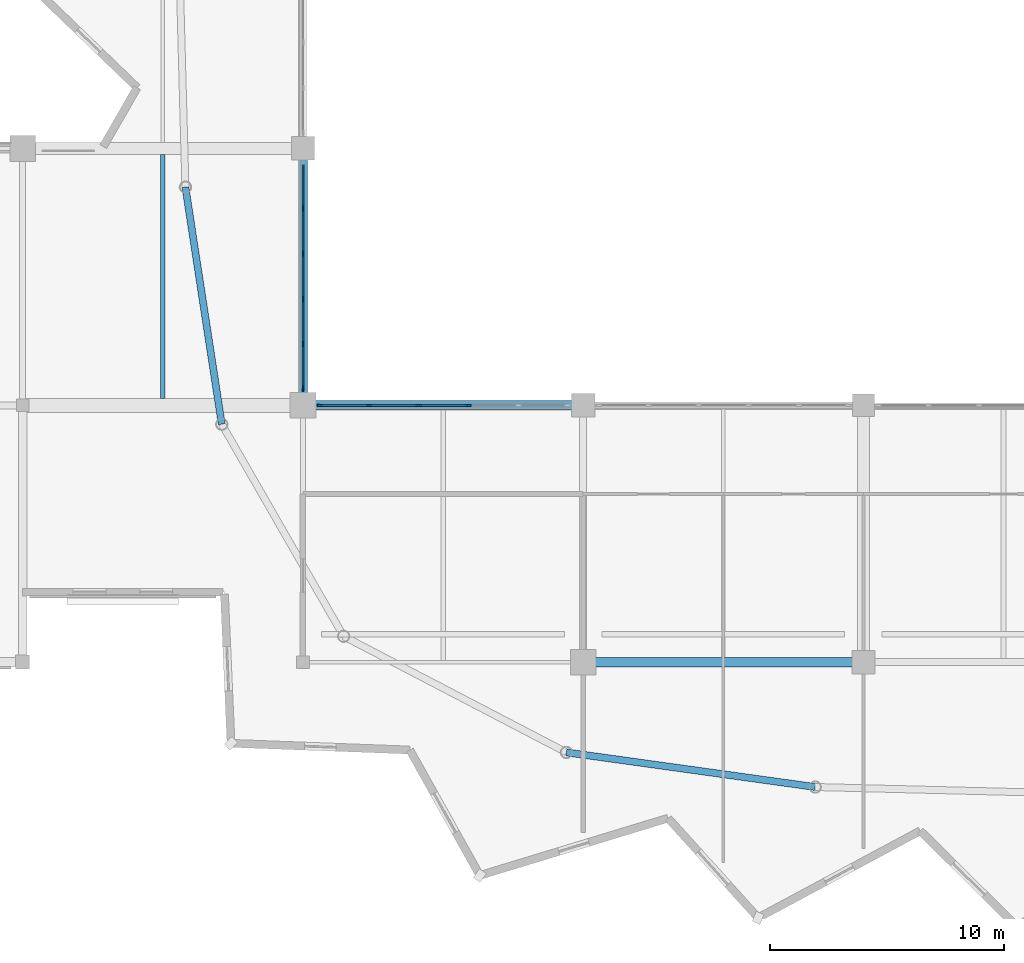
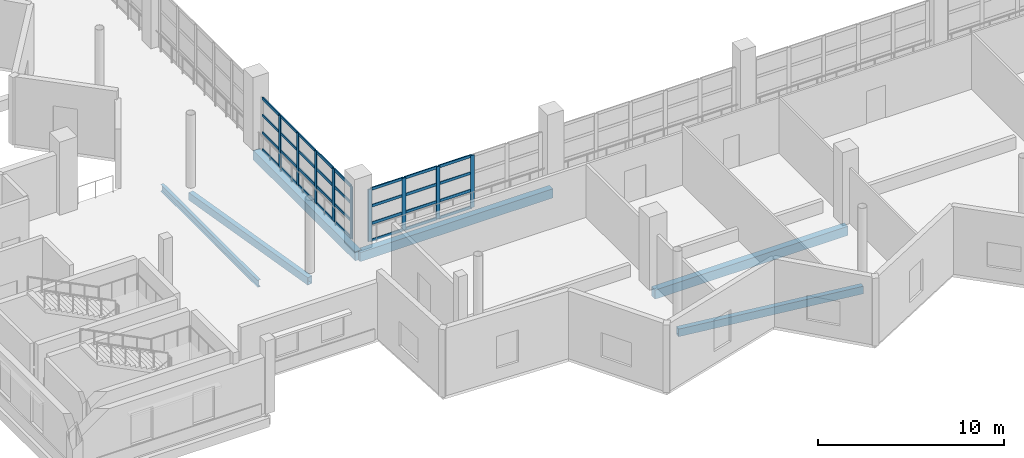
# One storey, part 11 of 53: 41 members, 6 beams, 2 elements without a shape of their own.
"""IFC4 building model written with IfcOpenShell, lengths in metres."""

import ifcopenshell
import ifcopenshell.guid

model = None  # the IFC model being written
_history = None  # IfcOwnerHistory: only IFC2X3 demands one
_inside = {}  # id of a spatial element -> (the spatial element, [elements in it])
_under = {}  # id of a project, library or spatial element -> (it, [spatial elements below it])
_declared = {}  # id of a project -> (the project, [libraries it declares])
_typed = {}  # id of a type object -> (the type object, [elements of that type])
_made_of = {}  # id of a material, layer set ... -> (it, [elements and type objects made of it])


def new_model(schema):
    """Start an empty IFC model of exactly this schema.

    Asked for "IFC4X3", IfcOpenShell would pick the latest addendum, in which some entities
    have other attributes; the version numbers below select the first issue.
    IFC2X3 requires an IfcOwnerHistory on every rooted entity: one is made here for all.
    """
    global model, _history
    if schema == "IFC4X3":
        model = ifcopenshell.file(schema_version=(4, 3, 0, 0))
    else:
        model = ifcopenshell.file(schema=schema)
    _inside.clear()
    _under.clear()
    _declared.clear()
    _typed.clear()
    _made_of.clear()
    _history = None
    if model.schema == "IFC2X3":
        org = make("IfcOrganization", Name="unknown")
        user = make(
            "IfcPersonAndOrganization",
            ThePerson=make("IfcPerson", FamilyName="unknown"),
            TheOrganization=org,
        )
        app = make(
            "IfcApplication",
            ApplicationDeveloper=org,
            Version="unknown",
            ApplicationFullName="unknown",
            ApplicationIdentifier="unknown",
        )
        _history = make(
            "IfcOwnerHistory",
            OwningUser=user,
            OwningApplication=app,
            ChangeAction="ADDED",
            CreationDate=0,
        )
    return model


def make(cls, **values):
    """One entity of the class cls with the attributes given. An attribute that is None is left unset."""
    return model.create_entity(
        cls, **{name: value for name, value in values.items() if value is not None}
    )


def rooted(cls, **values):
    """An entity with a GlobalId (a new one), such as an element, a storey or a relation."""
    return make(cls, GlobalId=ifcopenshell.guid.new(), OwnerHistory=_history, **values)


def si_unit(unit_type, name, prefix=None):
    """IfcSIUnit, for example si_unit("LENGTHUNIT", "METRE", prefix="MILLI")."""
    return make("IfcSIUnit", UnitType=unit_type, Prefix=prefix, Name=name)


def assignment(units):
    """IfcUnitAssignment: the units of a project."""
    return None if units is None else make("IfcUnitAssignment", Units=units)


def point(xyz):
    """IfcCartesianPoint."""
    return None if xyz is None else make("IfcCartesianPoint", Coordinates=xyz)


def direction(xyz):
    """IfcDirection."""
    return None if xyz is None else make("IfcDirection", DirectionRatios=xyz)


def frame(location, z_axis=None, x_axis=None):
    """IfcAxis2Placement3D, a coordinate frame: its origin and axes. An axis left out is left unset."""
    return make(
        "IfcAxis2Placement3D",
        Location=point(location),
        Axis=direction(z_axis),
        RefDirection=direction(x_axis),
    )


def frame_2d(location, x_axis=None):
    """IfcAxis2Placement2D, a coordinate frame in the plane: its origin and x axis."""
    return make(
        "IfcAxis2Placement2D", Location=point(location), RefDirection=direction(x_axis)
    )


def origin():
    """The frame at (0, 0, 0) with its axes left unset."""
    return frame((0.0, 0.0, 0.0))


def origin_2d():
    """The frame at (0, 0) in the plane with its x axis left unset."""
    return frame_2d((0.0, 0.0))


def place(relative_to, where):
    """IfcLocalPlacement: puts the frame where relative to a parent placement (None: the world)."""
    return make(
        "IfcLocalPlacement", PlacementRelTo=relative_to, RelativePlacement=where
    )


def context(
    kind, dimensions, precision=None, world=None, true_north=None, identifier=None
):
    """IfcGeometricRepresentationContext, for example the 3D "Model" context."""
    return make(
        "IfcGeometricRepresentationContext",
        ContextIdentifier=identifier,
        ContextType=kind,
        CoordinateSpaceDimension=dimensions,
        Precision=precision,
        WorldCoordinateSystem=world,
        TrueNorth=true_north,
    )


def subcontext(parent, identifier, kind, view, scale=None):
    """IfcGeometricRepresentationSubContext, for example "Body" below "Model"."""
    return make(
        "IfcGeometricRepresentationSubContext",
        ContextIdentifier=identifier,
        ContextType=kind,
        ParentContext=parent,
        TargetScale=scale,
        TargetView=view,
    )


def project(units=None, contexts=None):
    """IfcProject with its units and contexts."""
    return rooted(
        "IfcProject",
        Name="project",
        RepresentationContexts=contexts,
        UnitsInContext=assignment(units),
    )


def spatial(cls, under=None, at=None, **own):
    """A site, building, storey or space (cls), placed at a placement, below another one or the project."""
    s = rooted(cls, ObjectPlacement=at, **own)
    if under is not None:
        _under.setdefault(under.id(), (under, []))[1].append(s)
    return s


def profile(cls, at=None, kind="AREA", **sizes):
    """A parametric profile (cls). Its sizes go by their IFC names, for example OverallWidth=200.0."""
    return make(cls, ProfileType=kind, Position=at, **sizes)


def rectangle(**sizes):
    """IfcRectangleProfileDef."""
    return profile("IfcRectangleProfileDef", **sizes)


def hollow_rectangle(**sizes):
    """IfcRectangleHollowProfileDef."""
    return profile("IfcRectangleHollowProfileDef", **sizes)


def i_section(**sizes):
    """IfcIShapeProfileDef."""
    return profile("IfcIShapeProfileDef", **sizes)


def extrude(swept, where, along, depth):
    """IfcExtrudedAreaSolid: the profile swept, set in the frame where, extruded along a direction by depth."""
    return make(
        "IfcExtrudedAreaSolid",
        SweptArea=swept,
        Position=where,
        ExtrudedDirection=direction(along),
        Depth=depth,
    )


def shape(context_of_items, identifier, shape_type, items):
    """IfcShapeRepresentation: the items that make up one representation, for example the "Body"."""
    return make(
        "IfcShapeRepresentation",
        ContextOfItems=context_of_items,
        RepresentationIdentifier=identifier,
        RepresentationType=shape_type,
        Items=items,
    )


def material(Name=None, Category=None):
    """IfcMaterial."""
    return make("IfcMaterial", Name=Name, Category=Category)


def material_profile(
    of_material, cross_section, Name=None, Category=None, Priority=None
):
    """IfcMaterialProfile: a cross section and its material."""
    return make(
        "IfcMaterialProfile",
        Name=Name,
        Material=of_material,
        Profile=cross_section,
        Priority=Priority,
        Category=Category,
    )


def profile_set(profiles, Name=None, composite=None):
    """IfcMaterialProfileSet."""
    return make(
        "IfcMaterialProfileSet",
        Name=Name,
        MaterialProfiles=profiles,
        CompositeProfile=composite,
    )


def made_of(thing, what):
    """Note that an element or type object is made of a material, layer set ...; save() writes the relation."""
    if what is not None:
        _made_of.setdefault(what.id(), (what, []))[1].append(thing)
    return thing


def type_object(cls, material=None, **own):
    """A type object (cls), such as IfcWallType, which elements share."""
    return made_of(rooted(cls, **own), material)


def element(
    cls,
    number,
    at=None,
    inside=None,
    cuts=None,
    type_object=None,
    material=None,
    context=None,
    identifier="Body",
    shape_type=None,
    held_by="IfcProductDefinitionShape",
    body=None,
    shapes=None,
    **own,
):
    """One element of the class cls, such as IfcWall. Its Tag is "e" and its number.

    at: its placement. inside: the storey or other place that contains it. cuts: it is an
    opening in that element (IfcRelVoidsElement). A single representation is given by context,
    identifier, shape_type and body (its items); several are given by shapes. held_by: the class
    of the entity that holds the representations. save() writes the other relations.
    """
    e = rooted(cls, Tag="e%d" % number, ObjectPlacement=at, **own)
    if body is not None:
        shapes = [shape(context, identifier, shape_type, body)]
    if shapes is not None:
        e.Representation = make(held_by, Representations=shapes)
    if inside is not None:
        _inside.setdefault(inside.id(), (inside, []))[1].append(e)
    if cuts is not None:
        rooted(
            "IfcRelVoidsElement", RelatingBuildingElement=cuts, RelatedOpeningElement=e
        )
    if type_object is not None:
        _typed.setdefault(type_object.id(), (type_object, []))[1].append(e)
    return made_of(e, material)


def aggregate(whole, parts):
    """IfcRelAggregates: a whole, such as a stair, and the parts it consists of."""
    return rooted("IfcRelAggregates", RelatingObject=whole, RelatedObjects=parts)


def save(model, path):
    """Write the relations noted so far, then the file.

    IfcRelAggregates (storeys below a building ...), IfcRelContainedInSpatialStructure (elements
    in a storey), IfcRelDefinesByType, IfcRelAssociatesMaterial and IfcRelDeclares: one each for
    every whole, place, type object, material and project.
    """
    for whole, parts in _under.values():
        aggregate(whole, parts)
    for where, things in _inside.values():
        rooted(
            "IfcRelContainedInSpatialStructure",
            RelatedElements=things,
            RelatingStructure=where,
        )
    for kind, things in _typed.values():
        rooted("IfcRelDefinesByType", RelatedObjects=things, RelatingType=kind)
    for what, things in _made_of.values():
        rooted("IfcRelAssociatesMaterial", RelatedObjects=things, RelatingMaterial=what)
    for by, libraries in _declared.values():
        rooted("IfcRelDeclares", RelatingContext=by, RelatedDefinitions=libraries)
    model.write(path)


model = new_model("IFC4")

# Units and contexts
model_context = context("Model", 3, precision=1e-05, world=origin(), true_north=direction((0.0, 1.0)))
body_context = subcontext(model_context, "Body", "Model", "MODEL_VIEW")
ifc_project = project(units=[si_unit("LENGTHUNIT", "METRE"), si_unit("AREAUNIT", "SQUARE_METRE"), si_unit("VOLUMEUNIT", "CUBIC_METRE"), si_unit("PLANEANGLEUNIT", "RADIAN"), si_unit("MASSUNIT", "GRAM", prefix="KILO")], contexts=[model_context])

# Site, building, storey
site_placement = place(None, origin())
site = spatial("IfcSite", under=ifc_project, at=site_placement, CompositionType="ELEMENT")
building_placement = place(site_placement, origin())
building = spatial("IfcBuilding", under=site, at=building_placement, Name="Luwafu Chhajja Arena", CompositionType="ELEMENT")
storey_placement = place(building_placement, frame((0.0, 0.0, 19.5)))
storey = spatial("IfcBuildingStorey", under=building, at=storey_placement, Name="L04", CompositionType="ELEMENT", Elevation=19.5)

# Curtain wall, members
ifc_material_1 = material(Name="Anodised bronze aluminium", Category="aluminium")
curtain_wall_type = type_object("IfcCurtainWallType", Name="Media Ribbon Curtain Wall", PredefinedType="USERDEFINED", material=ifc_material_1)
curtain_wall_1_placement = place(storey_placement, origin())
curtain_wall_1 = element("IfcCurtainWall", 1, at=curtain_wall_1_placement, inside=storey, type_object=curtain_wall_type, Name="L04 Bowl Viewing Curtain Wall CWR-L04-01", ObjectType="CURTAIN WALL", PredefinedType="USERDEFINED")
ifc_material_profile_1 = material_profile(ifc_material_1, rectangle(XDim=0.070068359375, YDim=0.239990234375, at=origin_2d()), Name="CWM 70x240")
ifc_profile_set_1 = profile_set([ifc_material_profile_1], Name="Anodised bronze aluminium")
member_type_1 = type_object("IfcMemberType", Name="Bronze Curtain Wall Mullion 70x240", PredefinedType="MULLION", material=ifc_profile_set_1)
member_1_placement = place(storey_placement, frame((58.72509765625, 22.0, 0.0), z_axis=(0.0, 0.0, 1.0), x_axis=(0.0, 1.0, 0.0)))
member_1 = element("IfcMember", 2, at=member_1_placement, type_object=member_type_1, Name="CW-03 mullion 1", PredefinedType="MULLION", context=body_context, shape_type="SweptSolid", body=[
    extrude(rectangle(XDim=0.070068359375, YDim=0.239990234375, at=origin_2d()), origin(), (0.0, 0.0, 1.0), 3.43994140625),
])
member_2_placement = place(storey_placement, frame((60.823974609375, 22.0, 0.0), z_axis=(0.0, 0.0, 1.0), x_axis=(0.0, 1.0, 0.0)))
member_2 = element("IfcMember", 3, at=member_2_placement, type_object=member_type_1, Name="CW-03 mullion 2", PredefinedType="MULLION", context=body_context, shape_type="SweptSolid", body=[
    extrude(rectangle(XDim=0.070068359375, YDim=0.239990234375, at=origin_2d()), origin(), (0.0, 0.0, 1.0), 3.43994140625),
])
member_3_placement = place(storey_placement, frame((62.9580078125, 22.0, 0.0), z_axis=(0.0, 0.0, 1.0), x_axis=(0.0, 1.0, 0.0)))
member_3 = element("IfcMember", 4, at=member_3_placement, type_object=member_type_1, Name="CW-03 mullion 3", PredefinedType="MULLION", context=body_context, shape_type="SweptSolid", body=[
    extrude(rectangle(XDim=0.070068359375, YDim=0.239990234375, at=origin_2d()), origin(), (0.0, 0.0, 1.0), 3.43994140625),
])
member_4_placement = place(storey_placement, frame((65.092041015625, 22.0, 0.0), z_axis=(0.0, 0.0, 1.0), x_axis=(0.0, 1.0, 0.0)))
member_4 = element("IfcMember", 5, at=member_4_placement, type_object=member_type_1, Name="CW-03 mullion 4", PredefinedType="MULLION", context=body_context, shape_type="SweptSolid", body=[
    extrude(rectangle(XDim=0.070068359375, YDim=0.239990234375, at=origin_2d()), origin(), (0.0, 0.0, 1.0), 3.43994140625),
])

curtain_wall_2_placement = place(storey_placement, origin())
curtain_wall_2 = element("IfcCurtainWall", 6, at=curtain_wall_2_placement, inside=storey, type_object=curtain_wall_type, Name="L04 Bowl Viewing Curtain Wall CWR-L04-15", ObjectType="CURTAIN WALL", PredefinedType="USERDEFINED")
member_5_placement = place(storey_placement, frame((58.0, 22.72509765625, 0.0), z_axis=(0.0, 0.0, 1.0), x_axis=(-1.0, 0.0, 0.0)))
member_5 = element("IfcMember", 7, at=member_5_placement, type_object=member_type_1, Name="CW-03 mullion 1", PredefinedType="MULLION", context=body_context, shape_type="SweptSolid", body=[
    extrude(rectangle(XDim=0.070068359375, YDim=0.239990234375, at=origin_2d()), origin(), (0.0, 0.0, 1.0), 3.43994140625),
])
member_6_placement = place(storey_placement, frame((58.0, 24.6240234375, 0.0), z_axis=(0.0, 0.0, 1.0), x_axis=(-1.0, 0.0, 0.0)))
member_6 = element("IfcMember", 8, at=member_6_placement, type_object=member_type_1, Name="CW-03 mullion 2", PredefinedType="MULLION", context=body_context, shape_type="SweptSolid", body=[
    extrude(rectangle(XDim=0.070068359375, YDim=0.239990234375, at=origin_2d()), origin(), (0.0, 0.0, 1.0), 3.43994140625),
])
member_7_placement = place(storey_placement, frame((58.0, 26.55810546875, 0.0), z_axis=(0.0, 0.0, 1.0), x_axis=(-1.0, 0.0, 0.0)))
member_7 = element("IfcMember", 9, at=member_7_placement, type_object=member_type_1, Name="CW-03 mullion 3", PredefinedType="MULLION", context=body_context, shape_type="SweptSolid", body=[
    extrude(rectangle(XDim=0.070068359375, YDim=0.239990234375, at=origin_2d()), origin(), (0.0, 0.0, 1.0), 3.43994140625),
])
member_8_placement = place(storey_placement, frame((58.0, 28.491943359375, 0.0), z_axis=(0.0, 0.0, 1.0), x_axis=(-1.0, 0.0, 0.0)))
member_8 = element("IfcMember", 10, at=member_8_placement, type_object=member_type_1, Name="CW-03 mullion 4", PredefinedType="MULLION", context=body_context, shape_type="SweptSolid", body=[
    extrude(rectangle(XDim=0.070068359375, YDim=0.239990234375, at=origin_2d()), origin(), (0.0, 0.0, 1.0), 3.43994140625),
])
member_9_placement = place(storey_placement, frame((58.0, 30.426025390625, 0.0), z_axis=(0.0, 0.0, 1.0), x_axis=(-1.0, 0.0, 0.0)))
member_9 = element("IfcMember", 11, at=member_9_placement, type_object=member_type_1, Name="CW-03 mullion 5", PredefinedType="MULLION", context=body_context, shape_type="SweptSolid", body=[
    extrude(rectangle(XDim=0.070068359375, YDim=0.239990234375, at=origin_2d()), origin(), (0.0, 0.0, 1.0), 3.43994140625),
])

# Member
ifc_material_profile_2 = material_profile(ifc_material_1, rectangle(XDim=0.070068359375, YDim=0.179931640625, at=origin_2d()), Name="CWT 70x180")
ifc_profile_set_2 = profile_set([ifc_material_profile_2], Name="Anodised bronze aluminium")
member_type_2 = type_object("IfcMemberType", Name="Bronze Curtain Wall Transom 70x180", PredefinedType="USERDEFINED", material=ifc_profile_set_2)
member_10_placement = place(storey_placement, frame((58.760009765625, 22.0, 0.034912109375), z_axis=(1.0, 0.0, 0.0), x_axis=(0.0, 1.0, 0.0)))
member_10 = element("IfcMember", 12, at=member_10_placement, type_object=member_type_2, Name="CW-03 transom 1.1", ObjectType="TRANSOM", PredefinedType="USERDEFINED", context=body_context, shape_type="SweptSolid", body=[
    extrude(rectangle(XDim=0.070068359375, YDim=0.179931640625, at=origin_2d()), origin(), (0.0, 0.0, 1.0), 2.029052734375),
])

member_11_placement = place(storey_placement, frame((58.760009765625, 22.0, 1.14990234375), z_axis=(1.0, 0.0, 0.0), x_axis=(0.0, 1.0, 0.0)))
member_11 = element("IfcMember", 13, at=member_11_placement, type_object=member_type_2, Name="CW-03 transom 1.2", ObjectType="TRANSOM", PredefinedType="USERDEFINED", context=body_context, shape_type="SweptSolid", body=[
    extrude(rectangle(XDim=0.070068359375, YDim=0.179931640625, at=origin_2d()), origin(), (0.0, 0.0, 1.0), 2.029052734375),
])

member_12_placement = place(storey_placement, frame((58.760009765625, 22.0, 2.294921875), z_axis=(1.0, 0.0, 0.0), x_axis=(0.0, 1.0, 0.0)))
member_12 = element("IfcMember", 14, at=member_12_placement, type_object=member_type_2, Name="CW-03 transom 1.3", ObjectType="TRANSOM", PredefinedType="USERDEFINED", context=body_context, shape_type="SweptSolid", body=[
    extrude(rectangle(XDim=0.070068359375, YDim=0.179931640625, at=origin_2d()), origin(), (0.0, 0.0, 1.0), 2.029052734375),
])

member_13_placement = place(storey_placement, frame((58.760009765625, 22.0, 3.405029296875), z_axis=(1.0, 0.0, 0.0), x_axis=(0.0, 1.0, 0.0)))
member_13 = element("IfcMember", 15, at=member_13_placement, type_object=member_type_2, Name="CW-03 transom 1.4", ObjectType="TRANSOM", PredefinedType="USERDEFINED", context=body_context, shape_type="SweptSolid", body=[
    extrude(rectangle(XDim=0.070068359375, YDim=0.179931640625, at=origin_2d()), origin(), (0.0, 0.0, 1.0), 2.029052734375),
])

member_14_placement = place(storey_placement, frame((60.85888671875, 22.0, 0.034912109375), z_axis=(1.0, 0.0, 0.0), x_axis=(0.0, 1.0, 0.0)))
member_14 = element("IfcMember", 16, at=member_14_placement, type_object=member_type_2, Name="CW-03 transom 2.1", ObjectType="TRANSOM", PredefinedType="USERDEFINED", context=body_context, shape_type="SweptSolid", body=[
    extrude(rectangle(XDim=0.070068359375, YDim=0.179931640625, at=origin_2d()), origin(), (0.0, 0.0, 1.0), 2.064208984375),
])

member_15_placement = place(storey_placement, frame((60.85888671875, 22.0, 1.14990234375), z_axis=(1.0, 0.0, 0.0), x_axis=(0.0, 1.0, 0.0)))
member_15 = element("IfcMember", 17, at=member_15_placement, type_object=member_type_2, Name="CW-03 transom 2.2", ObjectType="TRANSOM", PredefinedType="USERDEFINED", context=body_context, shape_type="SweptSolid", body=[
    extrude(rectangle(XDim=0.070068359375, YDim=0.179931640625, at=origin_2d()), origin(), (0.0, 0.0, 1.0), 2.064208984375),
])

member_16_placement = place(storey_placement, frame((60.85888671875, 22.0, 2.294921875), z_axis=(1.0, 0.0, 0.0), x_axis=(0.0, 1.0, 0.0)))
member_16 = element("IfcMember", 18, at=member_16_placement, type_object=member_type_2, Name="CW-03 transom 2.3", ObjectType="TRANSOM", PredefinedType="USERDEFINED", context=body_context, shape_type="SweptSolid", body=[
    extrude(rectangle(XDim=0.070068359375, YDim=0.179931640625, at=origin_2d()), origin(), (0.0, 0.0, 1.0), 2.064208984375),
])

member_17_placement = place(storey_placement, frame((60.85888671875, 22.0, 3.405029296875), z_axis=(1.0, 0.0, 0.0), x_axis=(0.0, 1.0, 0.0)))
member_17 = element("IfcMember", 19, at=member_17_placement, type_object=member_type_2, Name="CW-03 transom 2.4", ObjectType="TRANSOM", PredefinedType="USERDEFINED", context=body_context, shape_type="SweptSolid", body=[
    extrude(rectangle(XDim=0.070068359375, YDim=0.179931640625, at=origin_2d()), origin(), (0.0, 0.0, 1.0), 2.064208984375),
])

member_18_placement = place(storey_placement, frame((62.992919921875, 22.0, 0.034912109375), z_axis=(1.0, 0.0, 0.0), x_axis=(0.0, 1.0, 0.0)))
member_18 = element("IfcMember", 20, at=member_18_placement, type_object=member_type_2, Name="CW-03 transom 3.1", ObjectType="TRANSOM", PredefinedType="USERDEFINED", context=body_context, shape_type="SweptSolid", body=[
    extrude(rectangle(XDim=0.070068359375, YDim=0.179931640625, at=origin_2d()), origin(), (0.0, 0.0, 1.0), 2.06396484375),
])

member_19_placement = place(storey_placement, frame((62.992919921875, 22.0, 1.14990234375), z_axis=(1.0, 0.0, 0.0), x_axis=(0.0, 1.0, 0.0)))
member_19 = element("IfcMember", 21, at=member_19_placement, type_object=member_type_2, Name="CW-03 transom 3.2", ObjectType="TRANSOM", PredefinedType="USERDEFINED", context=body_context, shape_type="SweptSolid", body=[
    extrude(rectangle(XDim=0.070068359375, YDim=0.179931640625, at=origin_2d()), origin(), (0.0, 0.0, 1.0), 2.06396484375),
])

member_20_placement = place(storey_placement, frame((62.992919921875, 22.0, 2.294921875), z_axis=(1.0, 0.0, 0.0), x_axis=(0.0, 1.0, 0.0)))
member_20 = element("IfcMember", 22, at=member_20_placement, type_object=member_type_2, Name="CW-03 transom 3.3", ObjectType="TRANSOM", PredefinedType="USERDEFINED", context=body_context, shape_type="SweptSolid", body=[
    extrude(rectangle(XDim=0.070068359375, YDim=0.179931640625, at=origin_2d()), origin(), (0.0, 0.0, 1.0), 2.06396484375),
])

member_21_placement = place(storey_placement, frame((62.992919921875, 22.0, 3.405029296875), z_axis=(1.0, 0.0, 0.0), x_axis=(0.0, 1.0, 0.0)))
member_21 = element("IfcMember", 23, at=member_21_placement, type_object=member_type_2, Name="CW-03 transom 3.4", ObjectType="TRANSOM", PredefinedType="USERDEFINED", context=body_context, shape_type="SweptSolid", body=[
    extrude(rectangle(XDim=0.070068359375, YDim=0.179931640625, at=origin_2d()), origin(), (0.0, 0.0, 1.0), 2.06396484375),
])

aggregate(curtain_wall_1, [member_1, member_2, member_3, member_4, member_10, member_11, member_12, member_13, member_14, member_15, member_16, member_17, member_18, member_19, member_20, member_21])

member_22_placement = place(storey_placement, frame((58.0, 22.760009765625, 0.034912109375), z_axis=(0.0, 1.0, 0.0), x_axis=(-1.0, 0.0, 0.0)))
member_22 = element("IfcMember", 24, at=member_22_placement, type_object=member_type_2, Name="CW-03 transom 1.1", ObjectType="TRANSOM", PredefinedType="USERDEFINED", context=body_context, shape_type="SweptSolid", body=[
    extrude(rectangle(XDim=0.070068359375, YDim=0.179931640625, at=origin_2d()), origin(), (0.0, 0.0, 1.0), 1.8291015625),
])

member_23_placement = place(storey_placement, frame((58.0, 22.760009765625, 1.14990234375), z_axis=(0.0, 1.0, 0.0), x_axis=(-1.0, 0.0, 0.0)))
member_23 = element("IfcMember", 25, at=member_23_placement, type_object=member_type_2, Name="CW-03 transom 1.2", ObjectType="TRANSOM", PredefinedType="USERDEFINED", context=body_context, shape_type="SweptSolid", body=[
    extrude(rectangle(XDim=0.070068359375, YDim=0.179931640625, at=origin_2d()), origin(), (0.0, 0.0, 1.0), 1.8291015625),
])

member_24_placement = place(storey_placement, frame((58.0, 22.760009765625, 2.294921875), z_axis=(0.0, 1.0, 0.0), x_axis=(-1.0, 0.0, 0.0)))
member_24 = element("IfcMember", 26, at=member_24_placement, type_object=member_type_2, Name="CW-03 transom 1.3", ObjectType="TRANSOM", PredefinedType="USERDEFINED", context=body_context, shape_type="SweptSolid", body=[
    extrude(rectangle(XDim=0.070068359375, YDim=0.179931640625, at=origin_2d()), origin(), (0.0, 0.0, 1.0), 1.8291015625),
])

member_25_placement = place(storey_placement, frame((58.0, 22.760009765625, 3.405029296875), z_axis=(0.0, 1.0, 0.0), x_axis=(-1.0, 0.0, 0.0)))
member_25 = element("IfcMember", 27, at=member_25_placement, type_object=member_type_2, Name="CW-03 transom 1.4", ObjectType="TRANSOM", PredefinedType="USERDEFINED", context=body_context, shape_type="SweptSolid", body=[
    extrude(rectangle(XDim=0.070068359375, YDim=0.179931640625, at=origin_2d()), origin(), (0.0, 0.0, 1.0), 1.8291015625),
])

member_26_placement = place(storey_placement, frame((58.0, 24.658935546875, 0.034912109375), z_axis=(0.0, 1.0, 0.0), x_axis=(-1.0, 0.0, 0.0)))
member_26 = element("IfcMember", 28, at=member_26_placement, type_object=member_type_2, Name="CW-03 transom 2.1", ObjectType="TRANSOM", PredefinedType="USERDEFINED", context=body_context, shape_type="SweptSolid", body=[
    extrude(rectangle(XDim=0.070068359375, YDim=0.179931640625, at=origin_2d()), origin(), (0.0, 0.0, 1.0), 1.864013671875),
])

member_27_placement = place(storey_placement, frame((58.0, 24.658935546875, 1.14990234375), z_axis=(0.0, 1.0, 0.0), x_axis=(-1.0, 0.0, 0.0)))
member_27 = element("IfcMember", 29, at=member_27_placement, type_object=member_type_2, Name="CW-03 transom 2.2", ObjectType="TRANSOM", PredefinedType="USERDEFINED", context=body_context, shape_type="SweptSolid", body=[
    extrude(rectangle(XDim=0.070068359375, YDim=0.179931640625, at=origin_2d()), origin(), (0.0, 0.0, 1.0), 1.864013671875),
])

member_28_placement = place(storey_placement, frame((58.0, 24.658935546875, 2.294921875), z_axis=(0.0, 1.0, 0.0), x_axis=(-1.0, 0.0, 0.0)))
member_28 = element("IfcMember", 30, at=member_28_placement, type_object=member_type_2, Name="CW-03 transom 2.3", ObjectType="TRANSOM", PredefinedType="USERDEFINED", context=body_context, shape_type="SweptSolid", body=[
    extrude(rectangle(XDim=0.070068359375, YDim=0.179931640625, at=origin_2d()), origin(), (0.0, 0.0, 1.0), 1.864013671875),
])

member_29_placement = place(storey_placement, frame((58.0, 24.658935546875, 3.405029296875), z_axis=(0.0, 1.0, 0.0), x_axis=(-1.0, 0.0, 0.0)))
member_29 = element("IfcMember", 31, at=member_29_placement, type_object=member_type_2, Name="CW-03 transom 2.4", ObjectType="TRANSOM", PredefinedType="USERDEFINED", context=body_context, shape_type="SweptSolid", body=[
    extrude(rectangle(XDim=0.070068359375, YDim=0.179931640625, at=origin_2d()), origin(), (0.0, 0.0, 1.0), 1.864013671875),
])

member_30_placement = place(storey_placement, frame((58.0, 26.593017578125, 0.034912109375), z_axis=(0.0, 1.0, 0.0), x_axis=(-1.0, 0.0, 0.0)))
member_30 = element("IfcMember", 32, at=member_30_placement, type_object=member_type_2, Name="CW-03 transom 3.1", ObjectType="TRANSOM", PredefinedType="USERDEFINED", context=body_context, shape_type="SweptSolid", body=[
    extrude(rectangle(XDim=0.070068359375, YDim=0.179931640625, at=origin_2d()), origin(), (0.0, 0.0, 1.0), 1.864013671875),
])

member_31_placement = place(storey_placement, frame((58.0, 26.593017578125, 1.14990234375), z_axis=(0.0, 1.0, 0.0), x_axis=(-1.0, 0.0, 0.0)))
member_31 = element("IfcMember", 33, at=member_31_placement, type_object=member_type_2, Name="CW-03 transom 3.2", ObjectType="TRANSOM", PredefinedType="USERDEFINED", context=body_context, shape_type="SweptSolid", body=[
    extrude(rectangle(XDim=0.070068359375, YDim=0.179931640625, at=origin_2d()), origin(), (0.0, 0.0, 1.0), 1.864013671875),
])

member_32_placement = place(storey_placement, frame((58.0, 26.593017578125, 2.294921875), z_axis=(0.0, 1.0, 0.0), x_axis=(-1.0, 0.0, 0.0)))
member_32 = element("IfcMember", 34, at=member_32_placement, type_object=member_type_2, Name="CW-03 transom 3.3", ObjectType="TRANSOM", PredefinedType="USERDEFINED", context=body_context, shape_type="SweptSolid", body=[
    extrude(rectangle(XDim=0.070068359375, YDim=0.179931640625, at=origin_2d()), origin(), (0.0, 0.0, 1.0), 1.864013671875),
])

member_33_placement = place(storey_placement, frame((58.0, 26.593017578125, 3.405029296875), z_axis=(0.0, 1.0, 0.0), x_axis=(-1.0, 0.0, 0.0)))
member_33 = element("IfcMember", 35, at=member_33_placement, type_object=member_type_2, Name="CW-03 transom 3.4", ObjectType="TRANSOM", PredefinedType="USERDEFINED", context=body_context, shape_type="SweptSolid", body=[
    extrude(rectangle(XDim=0.070068359375, YDim=0.179931640625, at=origin_2d()), origin(), (0.0, 0.0, 1.0), 1.864013671875),
])

member_34_placement = place(storey_placement, frame((58.0, 28.527099609375, 0.034912109375), z_axis=(0.0, 1.0, 0.0), x_axis=(-1.0, 0.0, 0.0)))
member_34 = element("IfcMember", 36, at=member_34_placement, type_object=member_type_2, Name="CW-03 transom 4.1", ObjectType="TRANSOM", PredefinedType="USERDEFINED", context=body_context, shape_type="SweptSolid", body=[
    extrude(rectangle(XDim=0.070068359375, YDim=0.179931640625, at=origin_2d()), origin(), (0.0, 0.0, 1.0), 1.864013671875),
])

member_35_placement = place(storey_placement, frame((58.0, 28.527099609375, 1.14990234375), z_axis=(0.0, 1.0, 0.0), x_axis=(-1.0, 0.0, 0.0)))
member_35 = element("IfcMember", 37, at=member_35_placement, type_object=member_type_2, Name="CW-03 transom 4.2", ObjectType="TRANSOM", PredefinedType="USERDEFINED", context=body_context, shape_type="SweptSolid", body=[
    extrude(rectangle(XDim=0.070068359375, YDim=0.179931640625, at=origin_2d()), origin(), (0.0, 0.0, 1.0), 1.864013671875),
])

member_36_placement = place(storey_placement, frame((58.0, 28.527099609375, 2.294921875), z_axis=(0.0, 1.0, 0.0), x_axis=(-1.0, 0.0, 0.0)))
member_36 = element("IfcMember", 38, at=member_36_placement, type_object=member_type_2, Name="CW-03 transom 4.3", ObjectType="TRANSOM", PredefinedType="USERDEFINED", context=body_context, shape_type="SweptSolid", body=[
    extrude(rectangle(XDim=0.070068359375, YDim=0.179931640625, at=origin_2d()), origin(), (0.0, 0.0, 1.0), 1.864013671875),
])

member_37_placement = place(storey_placement, frame((58.0, 28.527099609375, 3.405029296875), z_axis=(0.0, 1.0, 0.0), x_axis=(-1.0, 0.0, 0.0)))
member_37 = element("IfcMember", 39, at=member_37_placement, type_object=member_type_2, Name="CW-03 transom 4.4", ObjectType="TRANSOM", PredefinedType="USERDEFINED", context=body_context, shape_type="SweptSolid", body=[
    extrude(rectangle(XDim=0.070068359375, YDim=0.179931640625, at=origin_2d()), origin(), (0.0, 0.0, 1.0), 1.864013671875),
])

member_38_placement = place(storey_placement, frame((58.0, 30.4609375, 0.034912109375), z_axis=(0.0, 1.0, 0.0), x_axis=(-1.0, 0.0, 0.0)))
member_38 = element("IfcMember", 40, at=member_38_placement, type_object=member_type_2, Name="CW-03 transom 5.1", ObjectType="TRANSOM", PredefinedType="USERDEFINED", context=body_context, shape_type="SweptSolid", body=[
    extrude(rectangle(XDim=0.070068359375, YDim=0.179931640625, at=origin_2d()), origin(), (0.0, 0.0, 1.0), 1.8291015625),
])

member_39_placement = place(storey_placement, frame((58.0, 30.4609375, 1.14990234375), z_axis=(0.0, 1.0, 0.0), x_axis=(-1.0, 0.0, 0.0)))
member_39 = element("IfcMember", 41, at=member_39_placement, type_object=member_type_2, Name="CW-03 transom 5.2", ObjectType="TRANSOM", PredefinedType="USERDEFINED", context=body_context, shape_type="SweptSolid", body=[
    extrude(rectangle(XDim=0.070068359375, YDim=0.179931640625, at=origin_2d()), origin(), (0.0, 0.0, 1.0), 1.8291015625),
])

member_40_placement = place(storey_placement, frame((58.0, 30.4609375, 2.294921875), z_axis=(0.0, 1.0, 0.0), x_axis=(-1.0, 0.0, 0.0)))
member_40 = element("IfcMember", 42, at=member_40_placement, type_object=member_type_2, Name="CW-03 transom 5.3", ObjectType="TRANSOM", PredefinedType="USERDEFINED", context=body_context, shape_type="SweptSolid", body=[
    extrude(rectangle(XDim=0.070068359375, YDim=0.179931640625, at=origin_2d()), origin(), (0.0, 0.0, 1.0), 1.8291015625),
])

member_41_placement = place(storey_placement, frame((58.0, 30.4609375, 3.405029296875), z_axis=(0.0, 1.0, 0.0), x_axis=(-1.0, 0.0, 0.0)))
member_41 = element("IfcMember", 43, at=member_41_placement, type_object=member_type_2, Name="CW-03 transom 5.4", ObjectType="TRANSOM", PredefinedType="USERDEFINED", context=body_context, shape_type="SweptSolid", body=[
    extrude(rectangle(XDim=0.070068359375, YDim=0.179931640625, at=origin_2d()), origin(), (0.0, 0.0, 1.0), 1.8291015625),
])

aggregate(curtain_wall_2, [member_5, member_6, member_7, member_8, member_9, member_22, member_23, member_24, member_25, member_26, member_27, member_28, member_29, member_30, member_31, member_32, member_33, member_34, member_35, member_36, member_37, member_38, member_39, member_40, member_41])

# Beams
ifc_material_2 = material(Name="Steel S355", Category="steel")
ifc_material_profile_3 = material_profile(ifc_material_2, i_section(OverallWidth=0.19140625, OverallDepth=0.4599609375, WebThickness=0.010009765625, FlangeThickness=0.01611328125, at=origin_2d()), Name="UB 457x191x82")
ifc_profile_set_3 = profile_set([ifc_material_profile_3], Name="Steel S355")
beam_type_1 = type_object("IfcBeamType", Name="Floor Joist UB 457x191x82", PredefinedType="JOIST", material=ifc_profile_set_3)
beam_1_placement = place(storey_placement, frame((52.0, 22.300048828125, -0.6201171875), z_axis=(0.0, 1.0, 0.0), x_axis=(-1.0, 0.0, 0.0)))
element("IfcBeam", 44, at=beam_1_placement, inside=storey, type_object=beam_type_1, Name="L04 Secondary Joist 5-6/C", PredefinedType="JOIST", context=body_context, shape_type="SweptSolid", body=[
    extrude(i_section(OverallWidth=0.19140625, OverallDepth=0.4599609375, WebThickness=0.010009765625, FlangeThickness=0.01611328125, at=origin_2d()), origin(), (0.0, 0.0, 1.0), 10.449951171875),
])
ifc_material_profile_4 = material_profile(ifc_material_2, hollow_rectangle(XDim=0.300048828125, YDim=0.5, WallThickness=0.02001953125, at=origin_2d()), Name="RHS 500x300x20")
ifc_profile_set_4 = profile_set([ifc_material_profile_4], Name="Steel S355")
beam_type_2 = type_object("IfcBeamType", Name="Pleated Drum Spandrel Beam RHS 500x300", PredefinedType="SPANDREL", material=ifc_profile_set_4)
beam_2_placement = place(storey_placement, frame((52.968017578125, 31.3388671875, -0.639892578125), z_axis=(0.1515977802, -0.988442265911, 0.0), x_axis=(0.988442265911, 0.1515977802, 0.0)))
element("IfcBeam", 45, at=beam_2_placement, inside=storey, type_object=beam_type_2, Name="L04 Drum Ring Spandrel D19-D20", PredefinedType="SPANDREL", context=body_context, shape_type="SweptSolid", body=[
    extrude(hollow_rectangle(XDim=0.300048828125, YDim=0.5, WallThickness=0.02001953125, at=origin_2d()), origin(), (0.0, 0.0, 1.0), 10.263427734375),
])
beam_3_placement = place(storey_placement, frame((69.281982421875, 7.13720703125, -0.639892578125), z_axis=(0.990458730054, -0.137809666058, 0.0), x_axis=(0.137809666058, 0.990458730054, 0.0)))
element("IfcBeam", 46, at=beam_3_placement, inside=storey, type_object=beam_type_2, Name="L04 Drum Ring Spandrel D22-D23", PredefinedType="SPANDREL", context=body_context, shape_type="SweptSolid", body=[
    extrude(hollow_rectangle(XDim=0.300048828125, YDim=0.5, WallThickness=0.02001953125, at=origin_2d()), origin(), (0.0, 0.0, 1.0), 10.75341796875),
])
ifc_material_3 = material(Name="Concrete C35/45", Category="concrete")
ifc_material_profile_5 = material_profile(ifc_material_3, rectangle(XDim=0.39990234375, YDim=0.60009765625, at=origin_2d()), Name="RC 400x600")
ifc_profile_set_5 = profile_set([ifc_material_profile_5], Name="Concrete C35/45")
beam_type_3 = type_object("IfcBeamType", Name="Podium Perimeter Spandrel RC 400x600", PredefinedType="SPANDREL", material=ifc_profile_set_5)
for number, where, z_axis, x_axis, name in (
    (47, (58.0, 22.0, -0.68994140625), (1.0, 0.0, 0.0), (0.0, 1.0, 0.0), "L04 Grid Beam 6-7/C"),
    (48, (70.0, 11.0, -0.68994140625), (1.0, 0.0, 0.0), (0.0, 1.0, 0.0), "L04 Grid Beam 7-8/B"),
):
    element("IfcBeam", number, at=place(storey_placement, frame(where, z_axis=z_axis, x_axis=x_axis)), inside=storey, type_object=beam_type_3, Name=name, PredefinedType="SPANDREL", context=body_context, shape_type="SweptSolid", body=[
        extrude(rectangle(XDim=0.39990234375, YDim=0.60009765625, at=origin_2d()), origin(), (0.0, 0.0, 1.0), 12.0),
    ])
beam_4_placement = place(storey_placement, frame((58.0, 22.0, -0.68994140625), z_axis=(0.0, 1.0, 0.0), x_axis=(-1.0, 0.0, 0.0)))
element("IfcBeam", 49, at=beam_4_placement, inside=storey, type_object=beam_type_3, Name="L04 Grid Beam 6/C-D", PredefinedType="SPANDREL", context=body_context, shape_type="SweptSolid", body=[
    extrude(rectangle(XDim=0.39990234375, YDim=0.60009765625, at=origin_2d()), origin(), (0.0, 0.0, 1.0), 11.0),
])

save(model, "model.ifc")
